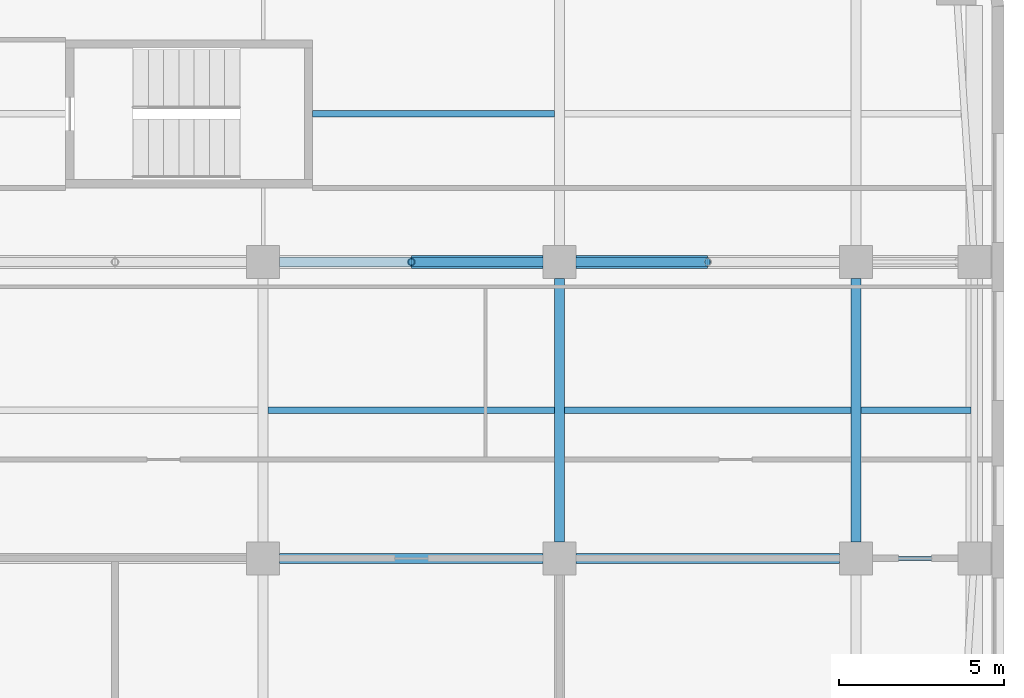
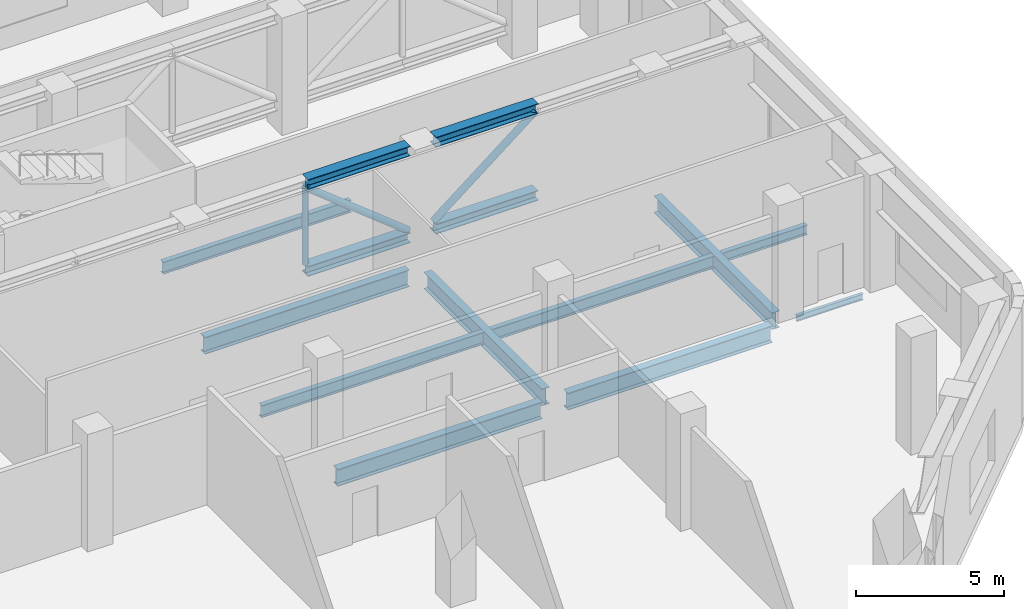
# One storey, part 6 of 23: 10 beams, 7 members.
"""IFC4 building model written with IfcOpenShell, lengths in metres."""

from ifc_helpers import new_model, si_unit, direction, frame, origin, origin_2d, place, context, subcontext, project, spatial, hollow_circle, i_section, extrude, material, material_profile, profile_set, type_object, element, save


model = new_model("IFC4")

# Units and contexts
model_context = context("Model", 3, precision=1e-05, world=origin(), true_north=direction((0.0, 1.0)))
body_context = subcontext(model_context, "Body", "Model", "MODEL_VIEW")
ifc_project = project(units=[si_unit("LENGTHUNIT", "METRE"), si_unit("AREAUNIT", "SQUARE_METRE"), si_unit("VOLUMEUNIT", "CUBIC_METRE"), si_unit("PLANEANGLEUNIT", "RADIAN"), si_unit("MASSUNIT", "GRAM", prefix="KILO")], contexts=[model_context])

# Site, building, storey
site_placement = place(None, origin())
site = spatial("IfcSite", under=ifc_project, at=site_placement, CompositionType="ELEMENT")
building_placement = place(site_placement, origin())
building = spatial("IfcBuilding", under=site, at=building_placement, Name="Cinnabar Reach Civic Tower", CompositionType="ELEMENT")
storey_placement = place(building_placement, frame((0.0, 0.0, 46.0)))
storey = spatial("IfcBuildingStorey", under=building, at=storey_placement, Name="L10", CompositionType="ELEMENT", Elevation=46.0)

# Members
ifc_material = material(Name="Steel Q355B", Category="steel")
ifc_material_profile_1 = material_profile(ifc_material, hollow_circle(Radius=0.1095, WallThickness=0.008, at=origin_2d()), Name="CHS219x8")
ifc_profile_set_1 = profile_set([ifc_material_profile_1], Name="Steel Q355B")
member_type_1 = type_object("IfcMemberType", Name="CHS219x8 post R 240", PredefinedType="POST", material=ifc_profile_set_1)
member_placement = place(storey_placement, frame((40.5, 27.0, 1.264), z_axis=(0.0, 0.0, 1.0), x_axis=(1.0, 0.0, 0.0)))
element("IfcMember", 1, at=member_placement, inside=storey, type_object=member_type_1, Name="Outrigger truss post T1-L10-TR-E27", PredefinedType="POST", context=body_context, shape_type="SweptSolid", body=[
    extrude(hollow_circle(Radius=0.1095, WallThickness=0.008, at=origin_2d()), origin(), (0.0, 0.0, 1.0), 3.172),
])
ifc_material_profile_2 = material_profile(ifc_material, hollow_circle(Radius=0.1365, WallThickness=0.01, at=origin_2d()), Name="CHS273x10")
ifc_profile_set_2 = profile_set([ifc_material_profile_2], Name="Steel Q355B")
member_type_2 = type_object("IfcMemberType", Name="CHS273x10 brace R 240", PredefinedType="BRACE", material=ifc_profile_set_2)
for number, where, z_axis, x_axis, name in (
    (2, (40.5, 27.0, 4.436), (0.783385820747, 0.0, -0.621535723714), (0.0, 1.0, 0.0), "Outrigger truss diagonal T1-L10-TR-E27"),
    (3, (45.502, 27.0, 1.264), (0.783385820747, 0.0, 0.621535723714), (0.0, 1.0, 0.0), "Outrigger truss diagonal T1-L10-TR-E27"),
):
    element("IfcMember", number, at=place(storey_placement, frame(where, z_axis=z_axis, x_axis=x_axis)), inside=storey, type_object=member_type_2, Name=name, PredefinedType="BRACE", context=body_context, shape_type="SweptSolid", body=[
        extrude(hollow_circle(Radius=0.1365, WallThickness=0.01, at=origin_2d()), origin(), (0.0, 0.0, 1.0), 5.1035),
    ])

# Beams
ifc_material_profile_3 = material_profile(ifc_material, i_section(OverallWidth=0.124, OverallDepth=0.248, WebThickness=0.005, FlangeThickness=0.008, FilletRadius=0.013, at=origin_2d()), Name="HN250x125x6x9")
ifc_profile_set_3 = profile_set([ifc_material_profile_3], Name="Steel Q355B")
beam_type_1 = type_object("IfcBeamType", Name="HN250x125x6x9 beam R 180", PredefinedType="BEAM", material=ifc_profile_set_3)
beam_1_placement = place(storey_placement, frame((54.502, 18.0, -0.424), z_axis=(1.0, 0.0, 0.0), x_axis=(0.0, 1.0, 0.0)))
element("IfcBeam", 4, at=beam_1_placement, inside=storey, type_object=beam_type_1, Name="Girder T1 L10 14", PredefinedType="BEAM", context=body_context, shape_type="SweptSolid", body=[
    extrude(i_section(OverallWidth=0.124, OverallDepth=0.248, WebThickness=0.005, FlangeThickness=0.008, FilletRadius=0.013, at=origin_2d()), origin(), (0.0, 0.0, 1.0), 2.596),
])
ifc_material_profile_4 = material_profile(ifc_material, i_section(OverallWidth=0.2, OverallDepth=0.4, WebThickness=0.008, FlangeThickness=0.013, FilletRadius=0.016, at=origin_2d()), Name="HN400x200x8x13")
ifc_profile_set_4 = profile_set([ifc_material_profile_4], Name="Steel Q355B")
beam_type_2 = type_object("IfcBeamType", Name="HN400x200x8x13 beam R 180", PredefinedType="BEAM", material=ifc_profile_set_4)
beam_2_placement = place(storey_placement, frame((54.152, 22.5, -0.5), z_axis=(1.0, 0.0, 0.0), x_axis=(0.0, 1.0, 0.0)))
element("IfcBeam", 5, at=beam_2_placement, inside=storey, type_object=beam_type_2, Name="Secondary beam T1 L10 18", PredefinedType="BEAM", context=body_context, shape_type="SweptSolid", body=[
    extrude(i_section(OverallWidth=0.2, OverallDepth=0.4, WebThickness=0.008, FlangeThickness=0.013, FilletRadius=0.016, at=origin_2d()), origin(), (0.0, 0.0, 1.0), 3.346),
])
ifc_material_profile_5 = material_profile(ifc_material, i_section(OverallWidth=0.2, OverallDepth=0.5, WebThickness=0.01, FlangeThickness=0.016, FilletRadius=0.016, at=origin_2d()), Name="HN500x200x10x16")
ifc_profile_set_5 = profile_set([ifc_material_profile_5], Name="Steel Q355B")
beam_type_3 = type_object("IfcBeamType", Name="HN500x200x10x16 beam R 180", PredefinedType="BEAM", material=ifc_profile_set_5)
for number, where, z_axis, x_axis, name in (
    (6, (36.152, 22.5, -0.55), (1.0, 0.0, 0.0), (0.0, 1.0, 0.0), "Secondary beam T1 L10 16"),
    (7, (45.152, 22.5, -0.55), (1.0, 0.0, 0.0), (0.0, 1.0, 0.0), "Secondary beam T1 L10 17"),
):
    element("IfcBeam", number, at=place(storey_placement, frame(where, z_axis=z_axis, x_axis=x_axis)), inside=storey, type_object=beam_type_3, Name=name, PredefinedType="BEAM", context=body_context, shape_type="SweptSolid", body=[
        extrude(i_section(OverallWidth=0.2, OverallDepth=0.5, WebThickness=0.01, FlangeThickness=0.016, FilletRadius=0.016, at=origin_2d()), origin(), (0.0, 0.0, 1.0), 8.696),
    ])
beam_3_placement = place(storey_placement, frame((37.502, 31.5, -0.55), z_axis=(1.0, 0.0, 0.0), x_axis=(0.0, 1.0, 0.0)))
element("IfcBeam", 8, at=beam_3_placement, inside=storey, type_object=beam_type_3, Name="Secondary beam T1 L10 22", PredefinedType="BEAM", context=body_context, shape_type="SweptSolid", body=[
    extrude(i_section(OverallWidth=0.2, OverallDepth=0.5, WebThickness=0.01, FlangeThickness=0.016, FilletRadius=0.016, at=origin_2d()), origin(), (0.0, 0.0, 1.0), 7.346),
])
ifc_material_profile_6 = material_profile(ifc_material, i_section(OverallWidth=0.3, OverallDepth=0.692, WebThickness=0.013, FlangeThickness=0.02, FilletRadius=0.016, at=origin_2d()), Name="HN692x300x13x20")
ifc_profile_set_6 = profile_set([ifc_material_profile_6], Name="Steel Q355B")
beam_type_4 = type_object("IfcBeamType", Name="HN692x300x13x20 beam R 180", PredefinedType="BEAM", material=ifc_profile_set_6)
for number, where, z_axis, x_axis, name in (
    (9, (45.0, 18.502, -0.646), (0.0, 1.0, 0.0), (-1.0, 0.0, 0.0), "Girder T1 L10 20"),
    (10, (54.0, 18.502, -0.646), (0.0, 1.0, 0.0), (-1.0, 0.0, 0.0), "Girder T1 L10 25"),
):
    element("IfcBeam", number, at=place(storey_placement, frame(where, z_axis=z_axis, x_axis=x_axis)), inside=storey, type_object=beam_type_4, Name=name, PredefinedType="BEAM", context=body_context, shape_type="SweptSolid", body=[
        extrude(i_section(OverallWidth=0.3, OverallDepth=0.692, WebThickness=0.013, FlangeThickness=0.02, FilletRadius=0.016, at=origin_2d()), origin(), (0.0, 0.0, 1.0), 7.996),
    ])
ifc_material_profile_7 = material_profile(ifc_material, i_section(OverallWidth=0.3, OverallDepth=0.7, WebThickness=0.013, FlangeThickness=0.024, FilletRadius=0.02, at=origin_2d()), Name="HN700x300x13x24")
ifc_profile_set_7 = profile_set([ifc_material_profile_7], Name="Steel Q355B")
beam_type_5 = type_object("IfcBeamType", Name="HN700x300x13x24 beam R 180", PredefinedType="BEAM", material=ifc_profile_set_7)
for number, where, z_axis, x_axis, name in (
    (11, (36.502, 18.0, -0.65), (1.0, 0.0, 0.0), (0.0, 1.0, 0.0), "Girder T1 L10 12"),
    (12, (45.502, 18.0, -0.65), (1.0, 0.0, 0.0), (0.0, 1.0, 0.0), "Girder T1 L10 13"),
    (13, (36.502, 27.0, -0.65), (1.0, 0.0, 0.0), (0.0, 1.0, 0.0), "Girder T1 L10 17"),
):
    element("IfcBeam", number, at=place(storey_placement, frame(where, z_axis=z_axis, x_axis=x_axis)), inside=storey, type_object=beam_type_5, Name=name, PredefinedType="BEAM", context=body_context, shape_type="SweptSolid", body=[
        extrude(i_section(OverallWidth=0.3, OverallDepth=0.7, WebThickness=0.013, FlangeThickness=0.024, FilletRadius=0.02, at=origin_2d()), origin(), (0.0, 0.0, 1.0), 7.996),
    ])

# Members
ifc_material_profile_8 = material_profile(ifc_material, i_section(OverallWidth=0.405, OverallDepth=0.414, WebThickness=0.018, FlangeThickness=0.028, FilletRadius=0.016, at=origin_2d()), Name="HW414x405x18x28")
ifc_profile_set_8 = profile_set([ifc_material_profile_8], Name="Steel Q355B")
member_type_3 = type_object("IfcMemberType", Name="HW414x405x18x28 chord R 240", PredefinedType="CHORD", material=ifc_profile_set_8)
for number, where, z_axis, x_axis, name in (
    (14, (40.5, 27.0, 4.643), (1.0, 0.0, 0.0), (0.0, 1.0, 0.0), "Outrigger truss chord T1-L10-TR-E27"),
    (15, (40.5, 27.0, 1.057), (1.0, 0.0, 0.0), (0.0, 1.0, 0.0), "Outrigger truss chord T1-L10-TR-E27"),
    (16, (45.502, 27.0, 4.643), (1.0, 0.0, 0.0), (0.0, 1.0, 0.0), "Outrigger truss chord T1-L10-TR-E27"),
    (17, (45.502, 27.0, 1.057), (1.0, 0.0, 0.0), (0.0, 1.0, 0.0), "Outrigger truss chord T1-L10-TR-E27"),
):
    element("IfcMember", number, at=place(storey_placement, frame(where, z_axis=z_axis, x_axis=x_axis)), inside=storey, type_object=member_type_3, Name=name, PredefinedType="CHORD", context=body_context, shape_type="SweptSolid", body=[
        extrude(i_section(OverallWidth=0.405, OverallDepth=0.414, WebThickness=0.018, FlangeThickness=0.028, FilletRadius=0.016, at=origin_2d()), origin(), (0.0, 0.0, 1.0), 3.998),
    ])

save(model, "model.ifc")
